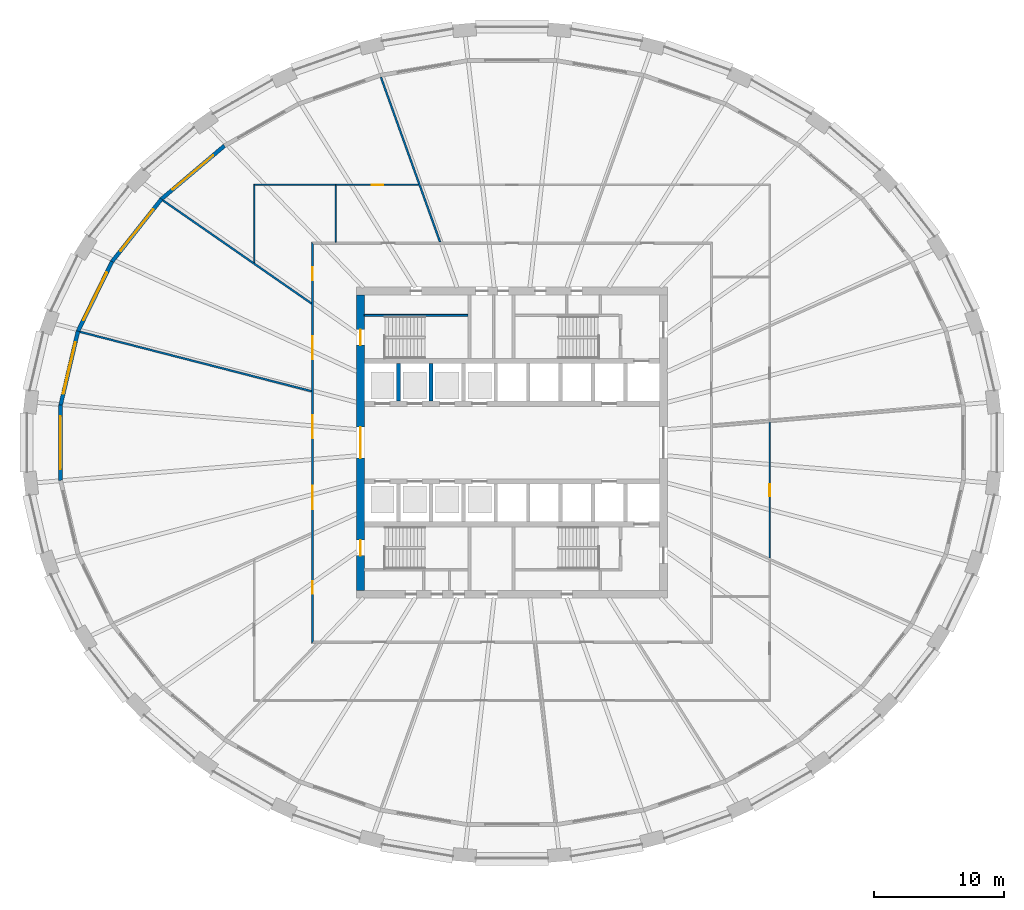
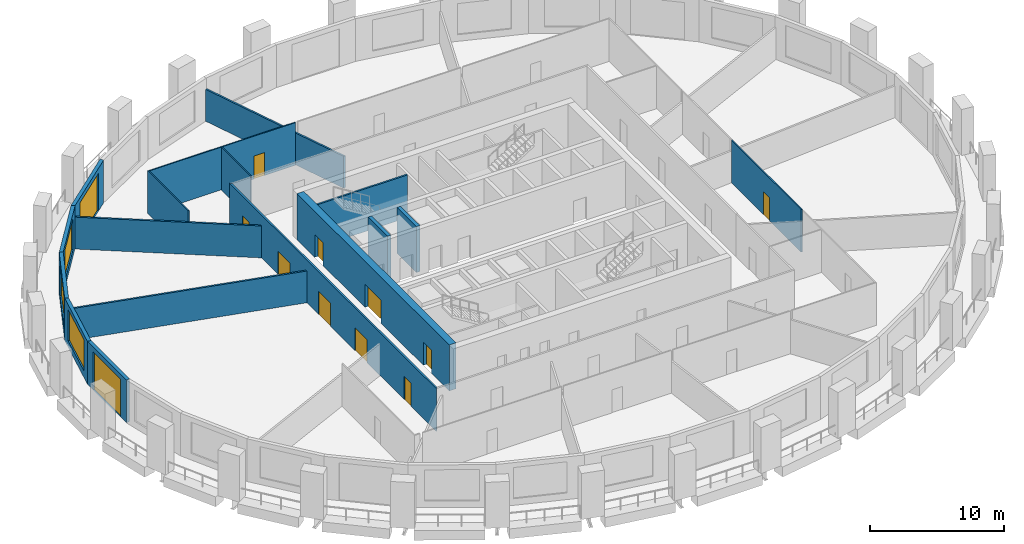
# One storey, part 5 of 11: 17 walls, 12 doors, 3 windows, 15 openings.
"""IFC4 building model written with IfcOpenShell, lengths in metres."""

from ifc_helpers import new_model, si_unit, direction, frame, frame_2d, origin, place, context, subcontext, project, spatial, polyline, rectangle, outline, extrude, material, layer, layer_set, type_object, element, fill, save


model = new_model("IFC4")

# Units and contexts
model_context = context("Model", 3, precision=1e-05, world=origin(), true_north=direction((0.0, 1.0)))
body_context = subcontext(model_context, "Body", "Model", "MODEL_VIEW")
ifc_project = project(units=[si_unit("LENGTHUNIT", "METRE"), si_unit("AREAUNIT", "SQUARE_METRE"), si_unit("VOLUMEUNIT", "CUBIC_METRE"), si_unit("PLANEANGLEUNIT", "RADIAN"), si_unit("MASSUNIT", "GRAM", prefix="KILO")], contexts=[model_context])

# Site, building, storey
site_placement = place(None, origin())
site = spatial("IfcSite", under=ifc_project, at=site_placement, CompositionType="ELEMENT")
building_placement = place(site_placement, origin())
building = spatial("IfcBuilding", under=site, at=building_placement, Name="Halqa Exchange Tower", CompositionType="ELEMENT")
storey_placement = place(building_placement, frame((0.0, 0.0, 44.5)))
storey = spatial("IfcBuildingStorey", under=building, at=storey_placement, Name="L09", CompositionType="ELEMENT", Elevation=44.5)

# Wall
ifc_material_1 = material(Name="Fire-rated gypsum board")
ifc_layer_1 = layer(ifc_material_1, 0.14990234375)
ifc_layer_set_1 = layer_set([ifc_layer_1], Name="Fire-rated gypsum board")
wall_type_1 = type_object("IfcWallType", Name="Fire partition EI 60 150", PredefinedType="PARTITIONING", material=ifc_layer_set_1)
wall_1_placement = place(storey_placement, frame((-26.949462890625, 18.702880859375, 0.0), z_axis=(0.0, 0.0, 1.0), x_axis=(0.821614916445, -0.570042918626, 0.0)))
element("IfcWall", 1, at=wall_1_placement, inside=storey, type_object=wall_type_1, Name="L09-PWL-002", PredefinedType="PARTITIONING", context=body_context, shape_type="SweptSolid", body=[
    extrude(outline(polyline([(14.017333984375, -0.074951171875), (14.017333984375, -0.074462890625), (13.966796875, -0.001708984375), (13.966796875, -0.001708984375), (13.913818359375, 0.074951171875), (12.099853515625, 0.074951171875), (10.285888671875, 0.074951171875), (8.47216796875, 0.074951171875), (8.46875, 0.07275390625), (8.467041015625, 0.074951171875), (6.778564453125, 0.074951171875), (5.090087890625, 0.074951171875), (3.401611328125, 0.074951171875), (1.712890625, 0.074951171875), (0.0244140625, 0.074951171875), (0.00439453125, 0.00048828125), (0.0, -0.071044921875), (0.0, -0.074951171875), (1.752197265625, -0.074951171875), (3.50439453125, -0.074951171875), (5.256591796875, -0.074951171875), (7.0087890625, -0.074951171875), (8.7607421875, -0.074951171875), (10.512939453125, -0.074951171875), (12.26513671875, -0.074951171875), (14.017333984375, -0.074951171875)])), origin(), (0.0, 0.0, 1.0), 2.909912109375),
])

# Wall, openings, doors
wall_2_placement = place(storey_placement, frame((-15.39990234375, -15.47509765625, 0.0), z_axis=(0.0, 0.0, 1.0), x_axis=(0.0, 1.0, 0.0)))
wall_2 = element("IfcWall", 2, at=wall_2_placement, inside=storey, type_object=wall_type_1, Name="L09-PWL-009", PredefinedType="PARTITIONING", context=body_context, shape_type="SweptSolid", body=[
    extrude(outline(polyline([(0.150146484375, -0.074951171875), (2.065673828125, -0.074951171875), (3.9814453125, -0.074951171875), (5.89697265625, -0.074951171875), (7.8125, -0.074951171875), (9.728271484375, -0.074951171875), (11.643798828125, -0.074951171875), (13.5595703125, -0.074951171875), (15.47509765625, -0.074951171875), (17.390625, -0.074951171875), (19.306396484375, -0.074951171875), (21.221923828125, -0.074951171875), (23.1376953125, -0.074951171875), (25.05322265625, -0.074951171875), (26.96875, -0.074951171875), (28.884521484375, -0.074951171875), (30.800048828125, -0.074951171875), (30.949951171875, 0.074951171875), (29.015625, 0.074951171875), (27.081298828125, 0.074951171875), (25.14697265625, 0.074951171875), (23.21240234375, 0.074951171875), (21.278076171875, 0.074951171875), (19.34375, 0.074951171875), (17.409423828125, 0.074951171875), (15.47509765625, 0.074951171875), (13.540771484375, 0.074951171875), (11.6064453125, 0.074951171875), (9.672119140625, 0.074951171875), (7.73779296875, 0.074951171875), (5.80322265625, 0.074951171875), (3.868896484375, 0.074951171875), (1.9345703125, 0.074951171875), (0.000244140625, 0.074951171875), (0.150146484375, -0.074951171875)])), origin(), (0.0, 0.0, 1.0), 3.89990234375),
])
opening_1_placement = place(wall_2_placement, frame((28.02001953125, 0.0, 0.0)))
opening_1 = element("IfcOpeningElement", 3, at=opening_1_placement, cuts=wall_2, Name="Opening 02-01", PredefinedType="OPENING", context=body_context, shape_type="SweptSolid", body=[
    extrude(rectangle(XDim=1.0, YDim=2.10009765625, at=frame_2d((0.5, 1.050048828125))), frame((0.0, 0.0869140625, 0.0), z_axis=(0.0, -1.0, 0.0), x_axis=(1.0, 0.0, 0.0)), (0.0, 0.0, 1.0), 0.173828125),
])
opening_2_placement = place(wall_2_placement, frame((21.89501953125, 0.0, 0.0)))
opening_2 = element("IfcOpeningElement", 4, at=opening_2_placement, cuts=wall_2, Name="Opening 02-03", PredefinedType="OPENING", context=body_context, shape_type="SweptSolid", body=[
    extrude(rectangle(XDim=1.800048828125, YDim=2.10009765625, at=frame_2d((0.89990234375, 1.050048828125))), frame((0.0, 0.0869140625, 0.0), z_axis=(0.0, -1.0, 0.0), x_axis=(1.0, 0.0, 0.0)), (0.0, 0.0, 1.0), 0.173828125),
])
opening_3_placement = place(wall_2_placement, frame((15.797607421875, 0.0, 0.0)))
opening_3 = element("IfcOpeningElement", 5, at=opening_3_placement, cuts=wall_2, Name="Opening 02-04", PredefinedType="OPENING", context=body_context, shape_type="SweptSolid", body=[
    extrude(rectangle(XDim=1.800048828125, YDim=2.10009765625, at=frame_2d((0.89990234375, 1.050048828125))), frame((0.0, 0.0869140625, 0.0), z_axis=(0.0, -1.0, 0.0), x_axis=(1.0, 0.0, 0.0)), (0.0, 0.0, 1.0), 0.173828125),
])
opening_4_placement = place(wall_2_placement, frame((10.342529296875, 0.0, 0.0)))
opening_4 = element("IfcOpeningElement", 6, at=opening_4_placement, cuts=wall_2, Name="Opening 02-05", PredefinedType="OPENING", context=body_context, shape_type="SweptSolid", body=[
    extrude(rectangle(XDim=1.800048828125, YDim=2.10009765625, at=frame_2d((0.89990234375, 1.050048828125))), frame((0.0, 0.0869140625, 0.0), z_axis=(0.0, -1.0, 0.0), x_axis=(1.0, 0.0, 0.0)), (0.0, 0.0, 1.0), 0.173828125),
])
opening_5_placement = place(wall_2_placement, frame((3.794921875, 0.0, 0.0)))
opening_5 = element("IfcOpeningElement", 7, at=opening_5_placement, cuts=wall_2, Name="Opening 02-06", PredefinedType="OPENING", context=body_context, shape_type="SweptSolid", body=[
    extrude(rectangle(XDim=1.0, YDim=2.10009765625, at=frame_2d((0.5, 1.050048828125))), frame((0.0, 0.0869140625, 0.0), z_axis=(0.0, -1.0, 0.0), x_axis=(1.0, 0.0, 0.0)), (0.0, 0.0, 1.0), 0.173828125),
])
ifc_material_2 = material(Name="Steel fire door leaf", Category="steel")
door_type_1 = type_object("IfcDoorType", Name="Fire door FD30S 1000 x 2100", OperationType="SINGLE_SWING_LEFT", PredefinedType="DOOR", material=ifc_material_2)
door_1_placement = place(opening_1_placement, origin())
door_1 = element("IfcDoor", 8, at=door_1_placement, inside=storey, type_object=door_type_1, Name="L09-IDR-001", OperationType="SINGLE_SWING_RIGHT", OverallHeight=2.10009765625, OverallWidth=1.0, PredefinedType="DOOR", context=body_context, shape_type="SweptSolid", body=[
    extrude(rectangle(XDim=1.0, YDim=2.10009765625, at=frame_2d((0.5, 1.050048828125))), frame((0.0, 0.02490234375, 0.0), z_axis=(0.0, -1.0, 0.0), x_axis=(1.0, 0.0, 0.0)), (0.0, 0.0, 1.0), 0.050048828125),
])
fill(opening_1, door_1)
door_2_placement = place(opening_5_placement, origin())
door_2 = element("IfcDoor", 9, at=door_2_placement, inside=storey, type_object=door_type_1, Name="L09-IDR-006", OperationType="SINGLE_SWING_LEFT", OverallHeight=2.10009765625, OverallWidth=1.0, PredefinedType="DOOR", context=body_context, shape_type="SweptSolid", body=[
    extrude(rectangle(XDim=1.0, YDim=2.10009765625, at=frame_2d((0.5, 1.050048828125))), frame((0.0, 0.02490234375, 0.0), z_axis=(0.0, -1.0, 0.0), x_axis=(1.0, 0.0, 0.0)), (0.0, 0.0, 1.0), 0.050048828125),
])
fill(opening_5, door_2)
door_type_2 = type_object("IfcDoorType", Name="Fire door FD30S double 1800 x 2100", OperationType="DOUBLE_DOOR_SINGLE_SWING", PredefinedType="DOOR", material=ifc_material_2)
door_3_placement = place(opening_2_placement, origin())
door_3 = element("IfcDoor", 10, at=door_3_placement, inside=storey, type_object=door_type_2, Name="L09-IDR-003", OperationType="DOUBLE_DOOR_SINGLE_SWING", OverallHeight=2.10009765625, OverallWidth=1.800048828125, PredefinedType="DOOR", context=body_context, shape_type="SweptSolid", body=[
    extrude(rectangle(XDim=1.800048828125, YDim=2.10009765625, at=frame_2d((0.89990234375, 1.050048828125))), frame((0.0, 0.02490234375, 0.0), z_axis=(0.0, -1.0, 0.0), x_axis=(1.0, 0.0, 0.0)), (0.0, 0.0, 1.0), 0.050048828125),
])
fill(opening_2, door_3)
door_4_placement = place(opening_3_placement, origin())
door_4 = element("IfcDoor", 11, at=door_4_placement, inside=storey, type_object=door_type_2, Name="L09-IDR-004", OperationType="DOUBLE_DOOR_SINGLE_SWING", OverallHeight=2.10009765625, OverallWidth=1.800048828125, PredefinedType="DOOR", context=body_context, shape_type="SweptSolid", body=[
    extrude(rectangle(XDim=1.800048828125, YDim=2.10009765625, at=frame_2d((0.89990234375, 1.050048828125))), frame((0.0, 0.02490234375, 0.0), z_axis=(0.0, -1.0, 0.0), x_axis=(1.0, 0.0, 0.0)), (0.0, 0.0, 1.0), 0.050048828125),
])
fill(opening_3, door_4)
door_5_placement = place(opening_4_placement, origin())
door_5 = element("IfcDoor", 12, at=door_5_placement, inside=storey, type_object=door_type_2, Name="L09-IDR-005", OperationType="DOUBLE_DOOR_SINGLE_SWING", OverallHeight=2.10009765625, OverallWidth=1.800048828125, PredefinedType="DOOR", context=body_context, shape_type="SweptSolid", body=[
    extrude(rectangle(XDim=1.800048828125, YDim=2.10009765625, at=frame_2d((0.89990234375, 1.050048828125))), frame((0.0, 0.02490234375, 0.0), z_axis=(0.0, -1.0, 0.0), x_axis=(1.0, 0.0, 0.0)), (0.0, 0.0, 1.0), 0.050048828125),
])
fill(opening_4, door_5)

# Walls
wall_3_placement = place(storey_placement, frame((-15.456787109375, 3.964599609375, 0.0), z_axis=(0.0, 0.0, 1.0), x_axis=(-0.968658160146, 0.248397602209, 0.0)))
element("IfcWall", 13, at=wall_3_placement, inside=storey, type_object=wall_type_1, Name="L09-PWL-011", PredefinedType="PARTITIONING", context=body_context, shape_type="SweptSolid", body=[
    extrude(outline(polyline([(0.0380859375, -0.074951171875), (1.880615234375, -0.074951171875), (3.723388671875, -0.074951171875), (5.566162109375, -0.074951171875), (7.40869140625, -0.074951171875), (9.25146484375, -0.074951171875), (11.093994140625, -0.074951171875), (12.936767578125, -0.074951171875), (14.779296875, -0.074951171875), (16.6220703125, -0.074951171875), (18.46484375, -0.074951171875), (18.477783203125, -0.01220703125), (18.477783203125, 0.074951171875), (16.6298828125, 0.074951171875), (14.7822265625, 0.074951171875), (12.9345703125, 0.074951171875), (11.086669921875, 0.074951171875), (9.23876953125, 0.074951171875), (7.39111328125, 0.074951171875), (5.54345703125, 0.074951171875), (3.695556640625, 0.074951171875), (1.84765625, 0.074951171875), (0.0, 0.074951171875), (0.0, 0.0732421875), (0.0380859375, -0.074951171875)])), origin(), (0.0, 0.0, 1.0), 2.89990234375),
])
wall_4_placement = place(storey_placement, frame((-10.119384765625, 28.209228515625, 0.0), z_axis=(0.0, 0.0, 1.0), x_axis=(0.337949016046, -0.941164418448, 0.0)))
element("IfcWall", 14, at=wall_4_placement, inside=storey, type_object=wall_type_1, Name="L09-PWL-015", PredefinedType="PARTITIONING", context=body_context, shape_type="SweptSolid", body=[
    extrude(outline(polyline([(0.0, -0.074951171875), (1.749755859375, -0.074951171875), (3.49951171875, -0.074951171875), (5.249267578125, -0.074951171875), (6.9990234375, -0.074951171875), (8.74853515625, -0.074951171875), (8.7490234375, -0.07421875), (8.751220703125, -0.074951171875), (10.335205078125, -0.074951171875), (11.919189453125, -0.074951171875), (13.50341796875, -0.074951171875), (13.554931640625, 0.068603515625), (13.554931640625, 0.068603515625), (13.556884765625, 0.073974609375), (13.556884765625, 0.074951171875), (12.007568359375, 0.074951171875), (10.4580078125, 0.074951171875), (8.90869140625, 0.074951171875), (8.908203125, 0.0732421875), (8.9033203125, 0.074951171875), (7.12548828125, 0.074951171875), (5.347412109375, 0.074951171875), (3.569580078125, 0.074951171875), (1.791748046875, 0.074951171875), (0.013916015625, 0.074951171875), (0.00048828125, 0.00048828125), (0.0, -0.070556640625), (0.0, -0.074951171875)])), origin(), (0.0, 0.0, 1.0), 2.909912109375),
])
ifc_material_3 = material(Name="Gypsum board")
ifc_layer_2 = layer(ifc_material_3, 0.10009765625)
ifc_layer_set_2 = layer_set([ifc_layer_2], Name="Gypsum board")
wall_type_2 = type_object("IfcWallType", Name="Partition 100 gypsum", PredefinedType="PARTITIONING", material=ifc_layer_set_2)
wall_5_placement = place(storey_placement, frame((-19.89990234375, 13.868896484375, 0.0), z_axis=(0.0, 0.0, 1.0), x_axis=(0.0, 1.0, 0.0)))
element("IfcWall", 15, at=wall_5_placement, inside=storey, type_object=wall_type_2, Name="L09-PWL-006", PredefinedType="PARTITIONING", context=body_context, shape_type="SweptSolid", body=[
    extrude(outline(polyline([(0.0, -0.050048828125), (1.99365234375, -0.050048828125), (3.9873046875, -0.050048828125), (5.98095703125, -0.050048828125), (5.981201171875, -0.0498046875), (6.0810546875, 0.050048828125), (4.578125, 0.050048828125), (3.0751953125, 0.050048828125), (1.572021484375, 0.050048828125), (0.069091796875, 0.050048828125), (0.0, -0.049560546875), (0.0, -0.050048828125)])), origin(), (0.0, 0.0, 1.0), 3.89990234375),
])

# Wall, opening, door
wall_6_placement = place(storey_placement, frame((-19.949951171875, 19.89990234375, 0.0), z_axis=(0.0, 0.0, 1.0), x_axis=(1.0, 0.0, 0.0)))
wall_6 = element("IfcWall", 16, at=wall_6_placement, inside=storey, type_object=wall_type_2, Name="L09-PWL-007", PredefinedType="PARTITIONING", context=body_context, shape_type="SweptSolid", body=[
    extrude(outline(polyline([(12.717529296875, 0.050048828125), (10.900634765625, 0.050048828125), (9.083984375, 0.050048828125), (7.26708984375, 0.050048828125), (5.450439453125, 0.050048828125), (3.633544921875, 0.050048828125), (1.81689453125, 0.050048828125), (0.0, 0.050048828125), (0.10009765625, -0.050048828125), (1.902587890625, -0.050048828125), (3.705078125, -0.050048828125), (5.507568359375, -0.050048828125), (7.31005859375, -0.050048828125), (9.112548828125, -0.050048828125), (10.9150390625, -0.050048828125), (12.717529296875, -0.050048828125), (12.717529296875, 0.050048828125)])), origin(), (0.0, 0.0, 1.0), 3.89990234375),
])
opening_6_placement = place(wall_6_placement, frame((9.1298828125, 0.0, 0.0)))
opening_6 = element("IfcOpeningElement", 17, at=opening_6_placement, cuts=wall_6, Name="Opening 02-17", PredefinedType="OPENING", context=body_context, shape_type="SweptSolid", body=[
    extrude(rectangle(XDim=0.89990234375, YDim=2.10009765625, at=frame_2d((0.449951171875, 1.050048828125))), frame((0.0, 0.06201171875, 0.0), z_axis=(0.0, -1.0, 0.0), x_axis=(1.0, 0.0, 0.0)), (0.0, 0.0, 1.0), 0.1240234375),
])
ifc_material_4 = material(Name="Timber door leaf", Category="wood")
door_type_3 = type_object("IfcDoorType", Name="Door 900 x 2100", OperationType="SINGLE_SWING_LEFT", PredefinedType="DOOR", material=ifc_material_4)
door_6_placement = place(opening_6_placement, frame((0.89990234375, 0.0, 0.0), z_axis=(0.0, 0.0, 1.0), x_axis=(-1.0, 0.0, 0.0)))
door_6 = element("IfcDoor", 18, at=door_6_placement, inside=storey, type_object=door_type_3, Name="L09-IDR-017", OperationType="SINGLE_SWING_RIGHT", OverallHeight=2.10009765625, OverallWidth=0.89990234375, PredefinedType="DOOR", context=body_context, shape_type="SweptSolid", body=[
    extrude(rectangle(XDim=0.89990234375, YDim=2.10009765625, at=frame_2d((0.449951171875, 1.050048828125))), frame((0.0, 0.02490234375, 0.0), z_axis=(0.0, -1.0, 0.0), x_axis=(1.0, 0.0, 0.0)), (0.0, 0.0, 1.0), 0.050048828125),
])
fill(opening_6, door_6)

# Wall
wall_7_placement = place(storey_placement, frame((-13.60009765625, 19.85009765625, 0.0), z_axis=(0.0, 0.0, 1.0), x_axis=(0.0, -1.0, 0.0)))
element("IfcWall", 19, at=wall_7_placement, inside=storey, type_object=wall_type_2, Name="L09-PWL-013", PredefinedType="PARTITIONING", context=body_context, shape_type="SweptSolid", body=[
    extrude(rectangle(XDim=4.375, YDim=0.10009765625, at=frame_2d((2.1875, 0.0))), origin(), (0.0, 0.0, 1.0), 3.89990234375),
])

# Wall, opening, door
wall_8_placement = place(storey_placement, frame((19.89990234375, 1.58837890625, 0.0), z_axis=(0.0, 0.0, 1.0), x_axis=(0.0, -1.0, 0.0)))
wall_8 = element("IfcWall", 20, at=wall_8_placement, inside=storey, type_object=wall_type_2, Name="L09-PWL-035", PredefinedType="PARTITIONING", context=body_context, shape_type="SweptSolid", body=[
    extrude(outline(polyline([(0.017822265625, -0.050048828125), (1.76025390625, -0.050048828125), (3.5029296875, -0.050048828125), (5.24560546875, -0.050048828125), (6.98828125, -0.050048828125), (8.73095703125, -0.050048828125), (10.473388671875, -0.050048828125), (10.518310546875, 0.04931640625), (10.518310546875, 0.050048828125), (8.76513671875, 0.050048828125), (7.01220703125, 0.050048828125), (5.25927734375, 0.050048828125), (3.506103515625, 0.050048828125), (1.7529296875, 0.050048828125), (0.0, 0.050048828125), (0.0, 0.044189453125), (0.00732421875, -0.04345703125), (0.0, -0.044189453125), (0.0, -0.04443359375), (0.01708984375, -0.043212890625), (0.017822265625, -0.050048828125)])), origin(), (0.0, 0.0, 1.0), 3.89990234375),
])
opening_7_placement = place(wall_8_placement, frame((4.80859375, 0.0, 0.0)))
opening_7 = element("IfcOpeningElement", 21, at=opening_7_placement, cuts=wall_8, Name="Opening 02-23", PredefinedType="OPENING", context=body_context, shape_type="SweptSolid", body=[
    extrude(rectangle(XDim=0.89990234375, YDim=2.10009765625, at=frame_2d((0.449951171875, 1.050048828125))), frame((0.0, 0.06201171875, 0.0), z_axis=(0.0, -1.0, 0.0), x_axis=(1.0, 0.0, 0.0)), (0.0, 0.0, 1.0), 0.1240234375),
])
door_7_placement = place(opening_7_placement, frame((0.89990234375, 0.0, 0.0), z_axis=(0.0, 0.0, 1.0), x_axis=(-1.0, 0.0, 0.0)))
door_7 = element("IfcDoor", 22, at=door_7_placement, inside=storey, type_object=door_type_3, Name="L09-IDR-023", OperationType="SINGLE_SWING_RIGHT", OverallHeight=2.10009765625, OverallWidth=0.89990234375, PredefinedType="DOOR", context=body_context, shape_type="SweptSolid", body=[
    extrude(rectangle(XDim=0.89990234375, YDim=2.10009765625, at=frame_2d((0.449951171875, 1.050048828125))), frame((0.0, 0.02490234375, 0.0), z_axis=(0.0, -1.0, 0.0), x_axis=(1.0, 0.0, 0.0)), (0.0, 0.0, 1.0), 0.050048828125),
])
fill(opening_7, door_7)

# Walls
ifc_material_5 = material(Name="Concrete C60/75", Category="concrete")
ifc_layer_3 = layer(ifc_material_5, 0.300048828125)
ifc_layer_set_3 = layer_set([ifc_layer_3], Name="Concrete C60/75")
wall_type_3 = type_object("IfcWallType", Name="RC core wall 300", PredefinedType="SHEAR", material=ifc_layer_set_3)
for number, where, z_axis, x_axis, name in (
    (23, (-8.75, 3.199951171875, 0.0), (0.0, 0.0, 1.0), (0.0, 1.0, 0.0), "Shaft divider N1"),
    (24, (-6.25, 3.199951171875, 0.0), (0.0, 0.0, 1.0), (0.0, 1.0, 0.0), "Shaft divider N2"),
):
    element("IfcWall", number, at=place(storey_placement, frame(where, z_axis=z_axis, x_axis=x_axis)), inside=storey, type_object=wall_type_3, Name=name, PredefinedType="SHEAR", context=body_context, shape_type="SweptSolid", body=[
        extrude(rectangle(XDim=2.900146484375, YDim=0.300048828125, at=frame_2d((1.4501953125, 0.0))), origin(), (0.0, 0.0, 1.0), 4.199951171875),
    ])

# Wall, openings, doors
ifc_material_6 = material(Name="Concrete C80/95", Category="concrete")
ifc_layer_4 = layer(ifc_material_6, 0.60009765625)
ifc_layer_set_4 = layer_set([ifc_layer_4], Name="Concrete C80/95")
wall_type_4 = type_object("IfcWallType", Name="RC core wall 600 C80/95", PredefinedType="SHEAR", material=ifc_layer_set_4)
wall_9_placement = place(storey_placement, frame((-11.699951171875, -11.39990234375, 0.0), z_axis=(0.0, 0.0, 1.0), x_axis=(0.0, 1.0, 0.0)))
wall_9 = element("IfcWall", 25, at=wall_9_placement, inside=storey, type_object=wall_type_4, Name="Core wall west", PredefinedType="SHEAR", context=body_context, shape_type="SweptSolid", body=[
    extrude(rectangle(XDim=22.7998046875, YDim=0.60009765625, at=frame_2d((11.39990234375, 0.0))), origin(), (0.0, 0.0, 1.0), 4.199951171875),
])
opening_8_placement = place(wall_9_placement, frame((10.199951171875, 0.0, 0.0)))
opening_8 = element("IfcOpeningElement", 26, at=opening_8_placement, cuts=wall_9, Name="Opening T02-C13", PredefinedType="OPENING", context=body_context, shape_type="SweptSolid", body=[
    extrude(rectangle(XDim=2.39990234375, YDim=2.10009765625, at=frame_2d((1.199951171875, 1.050048828125))), frame((0.0, 0.31201171875, 0.0), z_axis=(0.0, -1.0, 0.0), x_axis=(1.0, 0.0, 0.0)), (0.0, 0.0, 1.0), 0.6240234375),
])
opening_9_placement = place(wall_9_placement, frame((18.925048828125, 0.0, 0.0)))
opening_9 = element("IfcOpeningElement", 27, at=opening_9_placement, cuts=wall_9, Name="Opening T02-C15", PredefinedType="OPENING", context=body_context, shape_type="SweptSolid", body=[
    extrude(rectangle(XDim=1.199951171875, YDim=2.10009765625, at=frame_2d((0.60009765625, 1.050048828125))), frame((0.0, 0.31201171875, 0.0), z_axis=(0.0, -1.0, 0.0), x_axis=(1.0, 0.0, 0.0)), (0.0, 0.0, 1.0), 0.6240234375),
])
opening_10_placement = place(wall_9_placement, frame((2.675048828125, 0.0, 0.0)))
opening_10 = element("IfcOpeningElement", 28, at=opening_10_placement, cuts=wall_9, Name="Opening T02-C17", PredefinedType="OPENING", context=body_context, shape_type="SweptSolid", body=[
    extrude(rectangle(XDim=1.199951171875, YDim=2.10009765625, at=frame_2d((0.60009765625, 1.050048828125))), frame((0.0, 0.31201171875, 0.0), z_axis=(0.0, -1.0, 0.0), x_axis=(1.0, 0.0, 0.0)), (0.0, 0.0, 1.0), 0.6240234375),
])
door_type_4 = type_object("IfcDoorType", Name="Lobby double door FD60 2400 x 2100", OperationType="DOUBLE_DOOR_SINGLE_SWING", PredefinedType="DOOR", material=ifc_material_2)
door_8_placement = place(opening_8_placement, frame((2.39990234375, 0.0, 0.0), z_axis=(0.0, 0.0, 1.0), x_axis=(-1.0, 0.0, 0.0)))
door_8 = element("IfcDoor", 29, at=door_8_placement, inside=storey, type_object=door_type_4, Name="Lift lobby double door", OperationType="DOUBLE_DOOR_SINGLE_SWING", OverallHeight=2.10009765625, OverallWidth=2.39990234375, PredefinedType="DOOR", context=body_context, shape_type="SweptSolid", body=[
    extrude(rectangle(XDim=2.39990234375, YDim=2.10009765625, at=frame_2d((1.199951171875, 1.050048828125))), frame((0.0, 0.02490234375, 0.0), z_axis=(0.0, -1.0, 0.0), x_axis=(1.0, 0.0, 0.0)), (0.0, 0.0, 1.0), 0.050048828125),
])
fill(opening_8, door_8)
door_type_5 = type_object("IfcDoorType", Name="Stair door FD90 1200 x 2100", OperationType="SINGLE_SWING_LEFT", PredefinedType="DOOR", material=ifc_material_2)
door_9_placement = place(opening_9_placement, frame((1.199951171875, 0.0, 0.0), z_axis=(0.0, 0.0, 1.0), x_axis=(-1.0, 0.0, 0.0)))
door_9 = element("IfcDoor", 30, at=door_9_placement, inside=storey, type_object=door_type_5, Name="Stair door ST1", OperationType="SINGLE_SWING_LEFT", OverallHeight=2.10009765625, OverallWidth=1.199951171875, PredefinedType="DOOR", context=body_context, shape_type="SweptSolid", body=[
    extrude(rectangle(XDim=1.199951171875, YDim=2.10009765625, at=frame_2d((0.60009765625, 1.050048828125))), frame((0.0, 0.02490234375, 0.0), z_axis=(0.0, -1.0, 0.0), x_axis=(1.0, 0.0, 0.0)), (0.0, 0.0, 1.0), 0.050048828125),
])
fill(opening_9, door_9)
door_10_placement = place(opening_10_placement, frame((1.199951171875, 0.0, 0.0), z_axis=(0.0, 0.0, 1.0), x_axis=(-1.0, 0.0, 0.0)))
door_10 = element("IfcDoor", 31, at=door_10_placement, inside=storey, type_object=door_type_5, Name="Stair door ST3", OperationType="SINGLE_SWING_LEFT", OverallHeight=2.10009765625, OverallWidth=1.199951171875, PredefinedType="DOOR", context=body_context, shape_type="SweptSolid", body=[
    extrude(rectangle(XDim=1.199951171875, YDim=2.10009765625, at=frame_2d((0.60009765625, 1.050048828125))), frame((0.0, 0.02490234375, 0.0), z_axis=(0.0, -1.0, 0.0), x_axis=(1.0, 0.0, 0.0)), (0.0, 0.0, 1.0), 0.050048828125),
])
fill(opening_10, door_10)

# Wall
ifc_material_7 = material(Name="Concrete C30/37", Category="concrete")
ifc_layer_5 = layer(ifc_material_7, 0.14990234375)
ifc_layer_set_5 = layer_set([ifc_layer_5], Name="Concrete C30/37")
wall_type_5 = type_object("IfcWallType", Name="RC stair wall 150 C30/37", PredefinedType="SHEAR", material=ifc_layer_set_5)
wall_10_placement = place(storey_placement, frame((-11.39990234375, 9.824951171875, 0.0), z_axis=(0.0, 0.0, 1.0), x_axis=(1.0, 0.0, 0.0)))
element("IfcWall", 32, at=wall_10_placement, inside=storey, type_object=wall_type_5, Name="Stair ST1 north wall N", PredefinedType="SHEAR", context=body_context, shape_type="SweptSolid", body=[
    extrude(rectangle(XDim=8.0, YDim=0.14990234375, at=frame_2d((4.0, 0.0))), origin(), (0.0, 0.0, 1.0), 3.89990234375),
])

# Wall, opening, door
ifc_material_8 = material(Name="Limestone cladding", Category="masonry")
ifc_layer_6 = layer(ifc_material_8, 0.0400390625)
ifc_material_9 = material(Name="Ventilated cavity")
ifc_layer_7 = layer(ifc_material_9, 0.030029296875, ventilated=True)
ifc_material_10 = material(Name="Mineral wool insulation")
ifc_layer_8 = layer(ifc_material_10, 0.10009765625)
ifc_layer_9 = layer(ifc_material_7, 0.10009765625)
ifc_material_11 = material(Name="Internal plaster")
ifc_layer_10 = layer(ifc_material_11, 0.030029296875)
ifc_layer_set_6 = layer_set([ifc_layer_6, ifc_layer_7, ifc_layer_8, ifc_layer_9, ifc_layer_10], Name="Stone-faced insulated wall 300")
wall_type_6 = type_object("IfcWallType", Name="Stone-faced insulated wall 300", PredefinedType="STANDARD", material=ifc_layer_set_6)
wall_11_placement = place(storey_placement, frame((-22.19970703125, 22.91064453125, 0.0), z_axis=(0.0, 0.0, 1.0), x_axis=(-0.763577077796, -0.645716691951, 0.0)))
wall_11 = element("IfcWall", 33, at=wall_11_placement, inside=storey, type_object=wall_type_6, Name="Glass-line wall 12", PredefinedType="STANDARD", context=body_context, shape_type="SweptSolid", body=[
    extrude(outline(polyline([(-0.01416015625, -0.14990234375), (6.372314453125, -0.14990234375), (6.342041015625, 0.14990234375), (0.01416015625, 0.14990234375), (-0.01416015625, -0.14990234375)])), origin(), (0.0, 0.0, 1.0), 3.89990234375),
])
opening_11_placement = place(wall_11_placement, frame((1.128662109375, 0.0, 0.0)))
opening_11 = element("IfcOpeningElement", 34, at=opening_11_placement, cuts=wall_11, Name="Opening LG-F1-03", PredefinedType="OPENING", context=body_context, shape_type="SweptSolid", body=[
    extrude(rectangle(XDim=4.10009765625, YDim=3.449951171875, at=frame_2d((2.050048828125, 1.72509765625))), frame((0.0, 0.162109375, 0.0), z_axis=(0.0, -1.0, 0.0), x_axis=(1.0, 0.0, 0.0)), (0.0, 0.0, 1.0), 0.323974609375),
])
ifc_material_12 = material(Name="Clear low-emissivity glass in aluminium frame", Category="aluminium")
door_type_6 = type_object("IfcDoorType", Name="Glazed sliding loggia door 4100 x 3450", OperationType="DOUBLE_DOOR_SLIDING", PredefinedType="DOOR", material=ifc_material_12)
door_11_placement = place(opening_11_placement, origin())
door_11 = element("IfcDoor", 35, at=door_11_placement, inside=storey, type_object=door_type_6, Name="Loggia door 3", OperationType="DOUBLE_DOOR_SLIDING", OverallHeight=3.449951171875, OverallWidth=4.10009765625, PredefinedType="DOOR", context=body_context, shape_type="SweptSolid", body=[
    extrude(rectangle(XDim=4.10009765625, YDim=3.449951171875, at=frame_2d((2.050048828125, 1.72509765625))), frame((0.0, 0.02490234375, 0.0), z_axis=(0.0, -1.0, 0.0), x_axis=(1.0, 0.0, 0.0)), (0.0, 0.0, 1.0), 0.050048828125),
])
fill(opening_11, door_11)

# Wall, opening, window
wall_12_placement = place(storey_placement, frame((-27.053955078125, 18.8056640625, 0.0), z_axis=(0.0, 0.0, 1.0), x_axis=(-0.61992334328, -0.784662378642, 0.0)))
wall_12 = element("IfcWall", 36, at=wall_12_placement, inside=storey, type_object=wall_type_6, Name="Glass-line wall 13", PredefinedType="STANDARD", context=body_context, shape_type="SweptSolid", body=[
    extrude(outline(polyline([(-0.01513671875, -0.14990234375), (6.1708984375, -0.14990234375), (6.138671875, 0.14990234375), (0.01513671875, 0.14990234375), (-0.01513671875, -0.14990234375)])), origin(), (0.0, 0.0, 1.0), 3.89990234375),
])
opening_12_placement = place(wall_12_placement, frame((1.02734375, 0.0, 0.60009765625)))
opening_12 = element("IfcOpeningElement", 37, at=opening_12_placement, cuts=wall_12, Name="Opening W-F1-13", PredefinedType="OPENING", context=body_context, shape_type="SweptSolid", body=[
    extrude(rectangle(XDim=4.10009765625, YDim=2.85009765625, at=frame_2d((2.050048828125, 1.425048828125))), frame((0.0, 0.162109375, 0.0), z_axis=(0.0, -1.0, 0.0), x_axis=(1.0, 0.0, 0.0)), (0.0, 0.0, 1.0), 0.323974609375),
])
window_type = type_object("IfcWindowType", Name="Fixed clear glazed window 4100 x 2850", PartitioningType="TRIPLE_PANEL_VERTICAL", PredefinedType="WINDOW", material=ifc_material_12)
window_1_placement = place(opening_12_placement, origin())
window_1 = element("IfcWindow", 38, at=window_1_placement, inside=storey, type_object=window_type, Name="Window 1", OverallHeight=2.85009765625, OverallWidth=4.10009765625, PartitioningType="TRIPLE_PANEL_VERTICAL", PredefinedType="WINDOW", context=body_context, shape_type="SweptSolid", body=[
    extrude(rectangle(XDim=4.10009765625, YDim=2.85009765625, at=frame_2d((2.050048828125, 1.425048828125))), frame((0.0, 0.030029296875, 0.0), z_axis=(0.0, -1.0, 0.0), x_axis=(1.0, 0.0, 0.0)), (0.0, 0.0, 1.0), 0.06005859375),
])
fill(opening_12, window_1)

wall_13_placement = place(storey_placement, frame((-30.869384765625, 13.976318359375, 0.0), z_axis=(0.0, 0.0, 1.0), x_axis=(-0.439896354052, -0.898048549741, 0.0)))
wall_13 = element("IfcWall", 39, at=wall_13_placement, inside=storey, type_object=wall_type_6, Name="Glass-line wall 14", PredefinedType="STANDARD", context=body_context, shape_type="SweptSolid", body=[
    extrude(outline(polyline([(-0.01611328125, -0.14990234375), (5.99462890625, -0.14990234375), (5.9609375, 0.14990234375), (0.01611328125, 0.14990234375), (-0.01611328125, -0.14990234375)])), origin(), (0.0, 0.0, 1.0), 3.89990234375),
])
opening_13_placement = place(wall_13_placement, frame((0.93896484375, 0.0, 0.60009765625)))
opening_13 = element("IfcOpeningElement", 40, at=opening_13_placement, cuts=wall_13, Name="Opening W-F1-14", PredefinedType="OPENING", context=body_context, shape_type="SweptSolid", body=[
    extrude(rectangle(XDim=4.10009765625, YDim=2.85009765625, at=frame_2d((2.050048828125, 1.425048828125))), frame((0.0, 0.162109375, 0.0), z_axis=(0.0, -1.0, 0.0), x_axis=(1.0, 0.0, 0.0)), (0.0, 0.0, 1.0), 0.323974609375),
])
window_2_placement = place(opening_13_placement, origin())
window_2 = element("IfcWindow", 41, at=window_2_placement, inside=storey, type_object=window_type, Name="Window 1", OverallHeight=2.85009765625, OverallWidth=4.10009765625, PartitioningType="TRIPLE_PANEL_VERTICAL", PredefinedType="WINDOW", context=body_context, shape_type="SweptSolid", body=[
    extrude(rectangle(XDim=4.10009765625, YDim=2.85009765625, at=frame_2d((2.050048828125, 1.425048828125))), frame((0.0, 0.030029296875, 0.0), z_axis=(0.0, -1.0, 0.0), x_axis=(1.0, 0.0, 0.0)), (0.0, 0.0, 1.0), 0.06005859375),
])
fill(opening_13, window_2)

wall_14_placement = place(storey_placement, frame((-33.4990234375, 8.60791015625, 0.0), z_axis=(0.0, 0.0, 1.0), x_axis=(-0.228976600496, -0.97343192696, 0.0)))
wall_14 = element("IfcWall", 42, at=wall_14_placement, inside=storey, type_object=wall_type_6, Name="Glass-line wall 15", PredefinedType="STANDARD", context=body_context, shape_type="SweptSolid", body=[
    extrude(outline(polyline([(-0.016845703125, -0.14990234375), (5.8740234375, -0.14990234375), (5.83935546875, 0.14990234375), (0.016845703125, 0.14990234375), (-0.016845703125, -0.14990234375)])), origin(), (0.0, 0.0, 1.0), 3.89990234375),
])
opening_14_placement = place(wall_14_placement, frame((0.87841796875, 0.0, 0.60009765625)))
opening_14 = element("IfcOpeningElement", 43, at=opening_14_placement, cuts=wall_14, Name="Opening W-F1-15", PredefinedType="OPENING", context=body_context, shape_type="SweptSolid", body=[
    extrude(rectangle(XDim=4.10009765625, YDim=2.85009765625, at=frame_2d((2.050048828125, 1.425048828125))), frame((0.0, 0.162109375, 0.0), z_axis=(0.0, -1.0, 0.0), x_axis=(1.0, 0.0, 0.0)), (0.0, 0.0, 1.0), 0.323974609375),
])
window_3_placement = place(opening_14_placement, origin())
window_3 = element("IfcWindow", 44, at=window_3_placement, inside=storey, type_object=window_type, Name="Window 1", OverallHeight=2.85009765625, OverallWidth=4.10009765625, PartitioningType="TRIPLE_PANEL_VERTICAL", PredefinedType="WINDOW", context=body_context, shape_type="SweptSolid", body=[
    extrude(rectangle(XDim=4.10009765625, YDim=2.85009765625, at=frame_2d((2.050048828125, 1.425048828125))), frame((0.0, 0.030029296875, 0.0), z_axis=(0.0, -1.0, 0.0), x_axis=(1.0, 0.0, 0.0)), (0.0, 0.0, 1.0), 0.06005859375),
])
fill(opening_14, window_3)

# Wall, opening, door
wall_15_placement = place(storey_placement, frame((-34.840087890625, 2.90673828125, 0.0), z_axis=(0.0, 0.0, 1.0), x_axis=(0.0, -1.0, 0.0)))
wall_15 = element("IfcWall", 45, at=wall_15_placement, inside=storey, type_object=wall_type_6, Name="Glass-line wall 16", PredefinedType="STANDARD", context=body_context, shape_type="SweptSolid", body=[
    extrude(outline(polyline([(-0.017333984375, -0.14990234375), (5.830810546875, -0.14990234375), (5.796142578125, 0.14990234375), (0.017333984375, 0.14990234375), (-0.017333984375, -0.14990234375)])), origin(), (0.0, 0.0, 1.0), 3.89990234375),
])
opening_15_placement = place(wall_15_placement, frame((0.856689453125, 0.0, 0.0)))
opening_15 = element("IfcOpeningElement", 46, at=opening_15_placement, cuts=wall_15, Name="Opening LG-F1-04", PredefinedType="OPENING", context=body_context, shape_type="SweptSolid", body=[
    extrude(rectangle(XDim=4.10009765625, YDim=3.449951171875, at=frame_2d((2.050048828125, 1.72509765625))), frame((0.0, 0.162109375, 0.0), z_axis=(0.0, -1.0, 0.0), x_axis=(1.0, 0.0, 0.0)), (0.0, 0.0, 1.0), 0.323974609375),
])
door_12_placement = place(opening_15_placement, origin())
door_12 = element("IfcDoor", 47, at=door_12_placement, inside=storey, type_object=door_type_6, Name="Loggia door 4", OperationType="DOUBLE_DOOR_SLIDING", OverallHeight=3.449951171875, OverallWidth=4.10009765625, PredefinedType="DOOR", context=body_context, shape_type="SweptSolid", body=[
    extrude(rectangle(XDim=4.10009765625, YDim=3.449951171875, at=frame_2d((2.050048828125, 1.72509765625))), frame((0.0, 0.02490234375, 0.0), z_axis=(0.0, -1.0, 0.0), x_axis=(1.0, 0.0, 0.0)), (0.0, 0.0, 1.0), 0.050048828125),
])
fill(opening_15, door_12)

save(model, "model.ifc")
